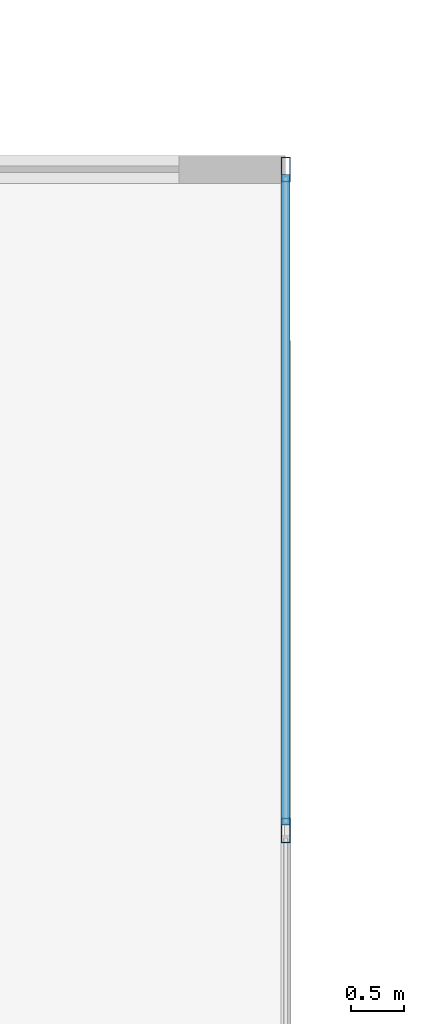
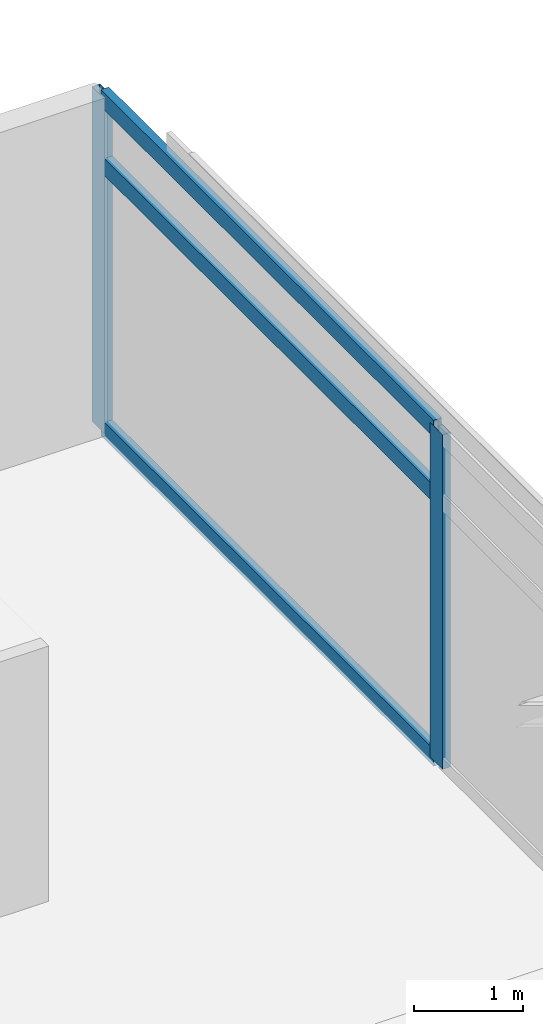
# One storey, part 11 of 20: 5 members, 1 element without a shape of its own.
"""IFC4 building model written with IfcOpenShell, lengths in metres."""

from ifc_helpers import new_model, si_unit, direction, frame, origin, origin_2d, place, context, subcontext, project, spatial, hollow_rectangle, extrude, material, material_profile, profile_set, type_object, element, aggregate, save


model = new_model("IFC4")

# Units and contexts
model_context = context("Model", 3, precision=1e-05, world=origin(), true_north=direction((0.0, 1.0)))
body_context = subcontext(model_context, "Body", "Model", "MODEL_VIEW")
ifc_project = project(units=[si_unit("LENGTHUNIT", "METRE"), si_unit("AREAUNIT", "SQUARE_METRE"), si_unit("VOLUMEUNIT", "CUBIC_METRE"), si_unit("PLANEANGLEUNIT", "RADIAN"), si_unit("MASSUNIT", "GRAM", prefix="KILO")], contexts=[model_context])

# Site, building, storey
site_placement = place(None, origin())
site = spatial("IfcSite", under=ifc_project, at=site_placement, CompositionType="ELEMENT")
building_placement = place(site_placement, origin())
building = spatial("IfcBuilding", under=site, at=building_placement, Name="Kovane Verandah Tower", CompositionType="ELEMENT")
storey_placement = place(building_placement, frame((0.0, 0.0, 164.39990234375)))
storey = spatial("IfcBuildingStorey", under=building, at=storey_placement, Name="L38", CompositionType="ELEMENT", Elevation=164.39990234375)

# Curtain wall, members
ifc_material_1 = material(Name="Champagne Anodised Aluminium Frame with Low-E Clear Laminated Glass", Category="aluminium")
curtain_wall_type = type_object("IfcCurtainWallType", Name="CW-SYS-03-MID", PredefinedType="NOTDEFINED", material=ifc_material_1)
curtain_wall_placement = place(storey_placement, origin())
curtain_wall = element("IfcCurtainWall", 1, at=curtain_wall_placement, inside=storey, type_object=curtain_wall_type, Name="L38 E Unitised Curtain Wall", PredefinedType="NOTDEFINED")
ifc_material_2 = material(Name="Champagne Anodised Aluminium 6063-T6", Category="aluminium")
ifc_material_profile_1 = material_profile(ifc_material_2, hollow_rectangle(XDim=0.0849609375, YDim=0.22998046875, WallThickness=0.00390625, at=origin_2d()), Name="AL85x230x4")
ifc_profile_set_1 = profile_set([ifc_material_profile_1], Name="Champagne Anodised Aluminium 6063-T6")
member_type_1 = type_object("IfcMemberType", Name="CW-MUL-85x230", PredefinedType="MULLION", material=ifc_profile_set_1)
member_1_placement = place(storey_placement, frame((66.697998046875, 39.882080078125, 0.02001953125), z_axis=(0.0, 0.0, 1.0), x_axis=(1.0, 0.0, 0.0)))
member_1 = element("IfcMember", 2, at=member_1_placement, type_object=member_type_1, Name="L38 E Unitised Curtain Wall Mullion 6", PredefinedType="MULLION", context=body_context, shape_type="SweptSolid", body=[
    extrude(hollow_rectangle(XDim=0.0849609375, YDim=0.22998046875, WallThickness=0.00390625, at=origin_2d()), origin(), (0.0, 0.0, 1.0), 3.735107421875),
])
member_2_placement = place(storey_placement, frame((66.697998046875, 46.072998046875, 0.02001953125), z_axis=(0.0, 0.0, 1.0), x_axis=(1.0, 0.0, 0.0)))
member_2 = element("IfcMember", 3, at=member_2_placement, type_object=member_type_1, Name="L38 E Unitised Curtain Wall Mullion 7", PredefinedType="MULLION", context=body_context, shape_type="SweptSolid", body=[
    extrude(hollow_rectangle(XDim=0.0849609375, YDim=0.22998046875, WallThickness=0.00390625, at=origin_2d()), origin(), (0.0, 0.0, 1.0), 3.735107421875),
])
ifc_material_profile_2 = material_profile(ifc_material_2, hollow_rectangle(XDim=0.0849609375, YDim=0.18994140625, WallThickness=0.00390625, at=origin_2d()), Name="AL85x190x4")
ifc_profile_set_2 = profile_set([ifc_material_profile_2], Name="Champagne Anodised Aluminium 6063-T6")
member_type_2 = type_object("IfcMemberType", Name="CW-TRN-85x190", PredefinedType="USERDEFINED", material=ifc_profile_set_2)
member_3_placement = place(storey_placement, frame((66.697998046875, 39.93212890625, 0.050048828125), z_axis=(0.0, 1.0, 0.0), x_axis=(-1.0, 0.0, 0.0)))
member_3 = element("IfcMember", 4, at=member_3_placement, type_object=member_type_2, Name="L38 E Unitised Curtain Wall Transom TB Bay 6", ObjectType="TRANSOM", PredefinedType="USERDEFINED", context=body_context, shape_type="SweptSolid", body=[
    extrude(hollow_rectangle(XDim=0.0849609375, YDim=0.18994140625, WallThickness=0.00390625, at=origin_2d()), origin(), (0.0, 0.0, 1.0), 6.091064453125),
])
member_4_placement = place(storey_placement, frame((66.697998046875, 39.93212890625, 2.9951171875), z_axis=(0.0, 1.0, 0.0), x_axis=(-1.0, 0.0, 0.0)))
member_4 = element("IfcMember", 5, at=member_4_placement, type_object=member_type_2, Name="L38 E Unitised Curtain Wall Transom TM Bay 6", ObjectType="TRANSOM", PredefinedType="USERDEFINED", context=body_context, shape_type="SweptSolid", body=[
    extrude(hollow_rectangle(XDim=0.0849609375, YDim=0.18994140625, WallThickness=0.00390625, at=origin_2d()), origin(), (0.0, 0.0, 1.0), 6.091064453125),
])
member_5_placement = place(storey_placement, frame((66.697998046875, 39.93212890625, 3.72509765625), z_axis=(0.0, 1.0, 0.0), x_axis=(-1.0, 0.0, 0.0)))
member_5 = element("IfcMember", 6, at=member_5_placement, type_object=member_type_2, Name="L38 E Unitised Curtain Wall Transom TT Bay 6", ObjectType="TRANSOM", PredefinedType="USERDEFINED", context=body_context, shape_type="SweptSolid", body=[
    extrude(hollow_rectangle(XDim=0.0849609375, YDim=0.18994140625, WallThickness=0.00390625, at=origin_2d()), origin(), (0.0, 0.0, 1.0), 6.091064453125),
])
aggregate(curtain_wall, [member_1, member_2, member_3, member_4, member_5])

save(model, "model.ifc")
